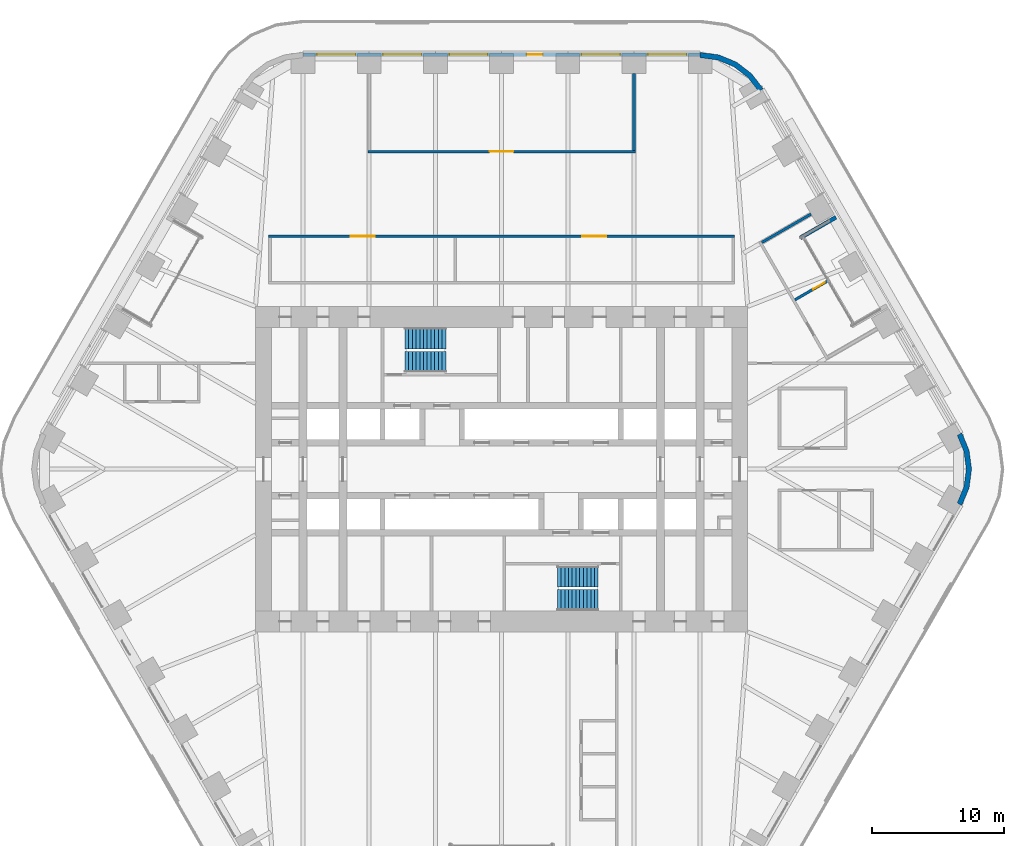
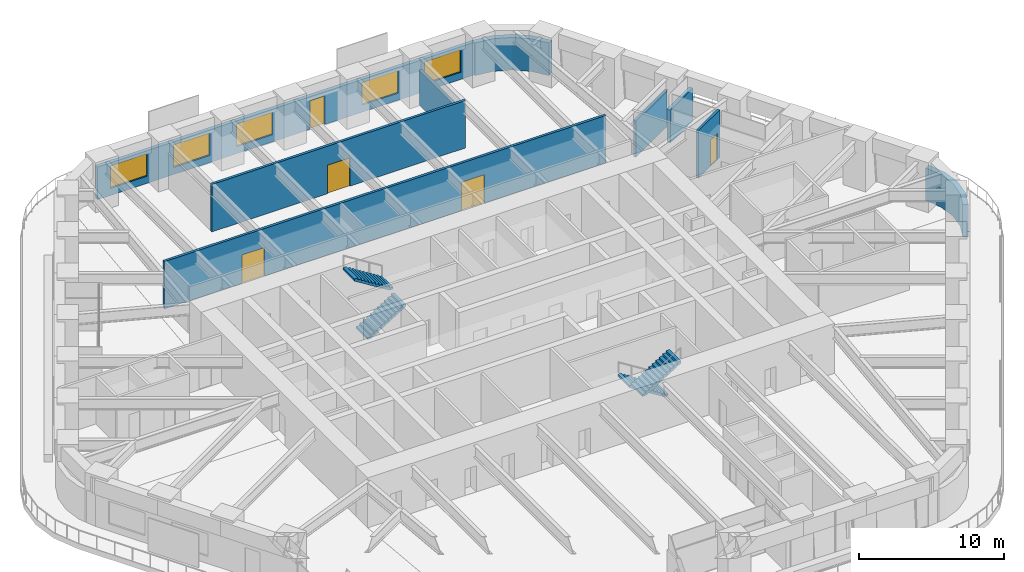
# One storey, part 21 of 24: 9 walls, 5 doors, 5 windows, 4 stair flights, 10 openings, 2 elements without a shape of their own.
"""IFC4 building model written with IfcOpenShell, lengths in metres."""

from ifc_helpers import new_model, si_unit, direction, frame, frame_2d, origin, place, context, subcontext, project, spatial, polyline, rectangle, outline, extrude, material, layer, layer_set, type_object, element, fill, aggregate, save


model = new_model("IFC4")

# Units and contexts
model_context = context("Model", 3, precision=1e-05, world=origin(), true_north=direction((0.0, 1.0)))
body_context = subcontext(model_context, "Body", "Model", "MODEL_VIEW")
ifc_project = project(units=[si_unit("LENGTHUNIT", "METRE"), si_unit("AREAUNIT", "SQUARE_METRE"), si_unit("VOLUMEUNIT", "CUBIC_METRE"), si_unit("PLANEANGLEUNIT", "RADIAN"), si_unit("MASSUNIT", "GRAM", prefix="KILO")], contexts=[model_context])

# Site, building, storey
site_placement = place(None, origin())
site = spatial("IfcSite", under=ifc_project, at=site_placement, CompositionType="ELEMENT")
building_placement = place(site_placement, origin())
building = spatial("IfcBuilding", under=site, at=building_placement, Name="Tarfa Lantern Tower", CompositionType="ELEMENT")
storey_placement = place(building_placement, frame((0.0, 0.0, 136.300048828125)))
storey = spatial("IfcBuildingStorey", under=building, at=storey_placement, Name="L30", CompositionType="ELEMENT", Elevation=136.300048828125)

# Wall
ifc_material_1 = material(Name="Limestone cladding on blockwork", Category="masonry")
ifc_layer_1 = layer(ifc_material_1, 0.300048828125)
ifc_layer_set_1 = layer_set([ifc_layer_1], Name="EW1 STONE-CLAD WALL 300")
wall_type_1 = type_object("IfcWallType", Name="EW1 STONE-CLAD WALL 300", PredefinedType="SOLIDWALL", material=ifc_layer_set_1)
wall_1_placement = place(storey_placement, frame((25.266357421875, 19.037353515625, 0.0), z_axis=(0.0, 0.0, 1.0), x_axis=(-0.86600983753, -0.500026960575, 0.0)))
element("IfcWall", 1, at=wall_1_placement, inside=storey, type_object=wall_type_1, Name="Loggia return NE 2", PredefinedType="SOLIDWALL", context=body_context, shape_type="SweptSolid", body=[
    extrude(rectangle(XDim=3.099853515625, YDim=0.300048828125, at=frame_2d((1.5498046875, 0.0))), origin(), (0.0, 0.0, 1.0), 2.75),
])

# Wall, openings, door, windows
wall_2_placement = place(storey_placement, frame((15.010986328125, 31.35009765625, 0.0), z_axis=(0.0, 0.0, 1.0), x_axis=(-1.0, 0.0, 0.0)))
wall_2 = element("IfcWall", 2, at=wall_2_placement, inside=storey, type_object=wall_type_1, Name="Stone wall N", PredefinedType="SOLIDWALL", context=body_context, shape_type="SweptSolid", body=[
    extrude(rectangle(XDim=30.02197265625, YDim=0.300048828125, at=frame_2d((15.010986328125, 0.0))), origin(), (0.0, 0.0, 1.0), 2.75),
])
opening_1_placement = place(wall_2_placement, frame((1.0517578125, 0.0, 0.60009765625)))
opening_1 = element("IfcOpeningElement", 3, at=opening_1_placement, cuts=wall_2, Name="Opening W9", PredefinedType="OPENING", context=body_context, shape_type="SweptSolid", body=[
    extrude(rectangle(XDim=2.89990234375, YDim=1.89990234375, at=frame_2d((1.449951171875, 0.949951171875))), frame((0.0, 0.159912109375, 0.0), z_axis=(0.0, -1.0, 0.0), x_axis=(1.0, 0.0, 0.0)), (0.0, 0.0, 1.0), 0.320068359375),
])
opening_2_placement = place(wall_2_placement, frame((6.0556640625, 0.0, 0.60009765625)))
opening_2 = element("IfcOpeningElement", 4, at=opening_2_placement, cuts=wall_2, Name="Opening W9", PredefinedType="OPENING", context=body_context, shape_type="SweptSolid", body=[
    extrude(rectangle(XDim=2.89990234375, YDim=1.89990234375, at=frame_2d((1.449951171875, 0.949951171875))), frame((0.0, 0.159912109375, 0.0), z_axis=(0.0, -1.0, 0.0), x_axis=(1.0, 0.0, 0.0)), (0.0, 0.0, 1.0), 0.320068359375),
])
opening_3_placement = place(wall_2_placement, frame((11.9091796875, 0.0, 0.0)))
opening_3 = element("IfcOpeningElement", 5, at=opening_3_placement, cuts=wall_2, Name="Opening D49", PredefinedType="OPENING", context=body_context, shape_type="SweptSolid", body=[
    extrude(rectangle(XDim=1.199951171875, YDim=2.39990234375, at=frame_2d((0.60009765625, 1.199951171875))), frame((0.0, 0.159912109375, 0.0), z_axis=(0.0, -1.0, 0.0), x_axis=(1.0, 0.0, 0.0)), (0.0, 0.0, 1.0), 0.320068359375),
])
opening_4_placement = place(wall_2_placement, frame((16.06298828125, 0.0, 0.60009765625)))
opening_4 = element("IfcOpeningElement", 6, at=opening_4_placement, cuts=wall_2, Name="Opening W9", PredefinedType="OPENING", context=body_context, shape_type="SweptSolid", body=[
    extrude(rectangle(XDim=2.89990234375, YDim=1.89990234375, at=frame_2d((1.449951171875, 0.949951171875))), frame((0.0, 0.159912109375, 0.0), z_axis=(0.0, -1.0, 0.0), x_axis=(1.0, 0.0, 0.0)), (0.0, 0.0, 1.0), 0.320068359375),
])
opening_5_placement = place(wall_2_placement, frame((21.066650390625, 0.0, 0.60009765625)))
opening_5 = element("IfcOpeningElement", 7, at=opening_5_placement, cuts=wall_2, Name="Opening W9", PredefinedType="OPENING", context=body_context, shape_type="SweptSolid", body=[
    extrude(rectangle(XDim=2.89990234375, YDim=1.89990234375, at=frame_2d((1.449951171875, 0.949951171875))), frame((0.0, 0.159912109375, 0.0), z_axis=(0.0, -1.0, 0.0), x_axis=(1.0, 0.0, 0.0)), (0.0, 0.0, 1.0), 0.320068359375),
])
opening_6_placement = place(wall_2_placement, frame((26.0703125, 0.0, 0.60009765625)))
opening_6 = element("IfcOpeningElement", 8, at=opening_6_placement, cuts=wall_2, Name="Opening W9", PredefinedType="OPENING", context=body_context, shape_type="SweptSolid", body=[
    extrude(rectangle(XDim=2.89990234375, YDim=1.89990234375, at=frame_2d((1.449951171875, 0.949951171875))), frame((0.0, 0.159912109375, 0.0), z_axis=(0.0, -1.0, 0.0), x_axis=(1.0, 0.0, 0.0)), (0.0, 0.0, 1.0), 0.320068359375),
])
ifc_material_2 = material(Name="Aluminium framed glazed door", Category="aluminium")
door_type_1 = type_object("IfcDoorType", Name="BE3 BALCONY DOOR 1200x2400", OperationType="SINGLE_SWING_RIGHT", PredefinedType="DOOR", material=ifc_material_2)
door_1_placement = place(opening_3_placement, origin())
door_1 = element("IfcDoor", 9, at=door_1_placement, inside=storey, type_object=door_type_1, Name="Balcony door N", OperationType="SINGLE_SWING_RIGHT", OverallHeight=2.39990234375, OverallWidth=1.199951171875, PredefinedType="DOOR", context=body_context, shape_type="SweptSolid", body=[
    extrude(rectangle(XDim=1.199951171875, YDim=2.39990234375, at=frame_2d((0.60009765625, 1.199951171875))), frame((0.0, 0.02490234375, 0.0), z_axis=(0.0, -1.0, 0.0), x_axis=(1.0, 0.0, 0.0)), (0.0, 0.0, 1.0), 0.050048828125),
])
fill(opening_3, door_1)
ifc_material_3 = material(Name="Aluminium frame, double glazed", Category="aluminium")
window_type = type_object("IfcWindowType", Name="W9 FULL-HEIGHT GLAZING 2900x1900", PartitioningType="SINGLE_PANEL", PredefinedType="WINDOW", material=ifc_material_3)
window_1_placement = place(opening_1_placement, origin())
window_1 = element("IfcWindow", 10, at=window_1_placement, inside=storey, type_object=window_type, Name="Window N 1", OverallHeight=1.89990234375, OverallWidth=2.89990234375, PartitioningType="SINGLE_PANEL", PredefinedType="WINDOW", context=body_context, shape_type="SweptSolid", body=[
    extrude(rectangle(XDim=2.89990234375, YDim=1.89990234375, at=frame_2d((1.449951171875, 0.949951171875))), frame((0.0, 0.030029296875, 0.0), z_axis=(0.0, -1.0, 0.0), x_axis=(1.0, 0.0, 0.0)), (0.0, 0.0, 1.0), 0.06005859375),
])
fill(opening_1, window_1)
window_2_placement = place(opening_2_placement, origin())
window_2 = element("IfcWindow", 11, at=window_2_placement, inside=storey, type_object=window_type, Name="Window N 2", OverallHeight=1.89990234375, OverallWidth=2.89990234375, PartitioningType="SINGLE_PANEL", PredefinedType="WINDOW", context=body_context, shape_type="SweptSolid", body=[
    extrude(rectangle(XDim=2.89990234375, YDim=1.89990234375, at=frame_2d((1.449951171875, 0.949951171875))), frame((0.0, 0.030029296875, 0.0), z_axis=(0.0, -1.0, 0.0), x_axis=(1.0, 0.0, 0.0)), (0.0, 0.0, 1.0), 0.06005859375),
])
fill(opening_2, window_2)
window_3_placement = place(opening_4_placement, origin())
window_3 = element("IfcWindow", 12, at=window_3_placement, inside=storey, type_object=window_type, Name="Window N 4", OverallHeight=1.89990234375, OverallWidth=2.89990234375, PartitioningType="SINGLE_PANEL", PredefinedType="WINDOW", context=body_context, shape_type="SweptSolid", body=[
    extrude(rectangle(XDim=2.89990234375, YDim=1.89990234375, at=frame_2d((1.449951171875, 0.949951171875))), frame((0.0, 0.030029296875, 0.0), z_axis=(0.0, -1.0, 0.0), x_axis=(1.0, 0.0, 0.0)), (0.0, 0.0, 1.0), 0.06005859375),
])
fill(opening_4, window_3)
window_4_placement = place(opening_5_placement, origin())
window_4 = element("IfcWindow", 13, at=window_4_placement, inside=storey, type_object=window_type, Name="Window N 5", OverallHeight=1.89990234375, OverallWidth=2.89990234375, PartitioningType="SINGLE_PANEL", PredefinedType="WINDOW", context=body_context, shape_type="SweptSolid", body=[
    extrude(rectangle(XDim=2.89990234375, YDim=1.89990234375, at=frame_2d((1.449951171875, 0.949951171875))), frame((0.0, 0.030029296875, 0.0), z_axis=(0.0, -1.0, 0.0), x_axis=(1.0, 0.0, 0.0)), (0.0, 0.0, 1.0), 0.06005859375),
])
fill(opening_5, window_4)
window_5_placement = place(opening_6_placement, origin())
window_5 = element("IfcWindow", 14, at=window_5_placement, inside=storey, type_object=window_type, Name="Window N 6", OverallHeight=1.89990234375, OverallWidth=2.89990234375, PartitioningType="SINGLE_PANEL", PredefinedType="WINDOW", context=body_context, shape_type="SweptSolid", body=[
    extrude(rectangle(XDim=2.89990234375, YDim=1.89990234375, at=frame_2d((1.449951171875, 0.949951171875))), frame((0.0, 0.030029296875, 0.0), z_axis=(0.0, -1.0, 0.0), x_axis=(1.0, 0.0, 0.0)), (0.0, 0.0, 1.0), 0.06005859375),
])
fill(opening_6, window_5)

# Walls
ifc_layer_2 = layer(ifc_material_1, 0.39990234375)
ifc_layer_set_2 = layer_set([ifc_layer_2], Name="EW2 CURVED STONE CORNER 400")
wall_type_2 = type_object("IfcWallType", Name="EW2 CURVED STONE CORNER 400", PredefinedType="SOLIDWALL", material=ifc_layer_set_2)
wall_3_placement = place(storey_placement, origin())
element("IfcWall", 15, at=wall_3_placement, inside=storey, type_object=wall_type_2, Name="Stone corner NE-N", PredefinedType="SOLIDWALL", context=body_context, shape_type="SweptSolid", body=[
    extrude(outline(polyline([(19.774169921875, 28.75), (18.900146484375, 29.88916015625), (17.760986328125, 30.76318359375), (16.4345703125, 31.3125), (15.010986328125, 31.5), (15.010986328125, 31.10009765625), (16.3310546875, 30.92626953125), (17.56103515625, 30.416748046875), (18.617431640625, 29.606201171875), (19.427734375, 28.550048828125), (19.774169921875, 28.75)])), origin(), (0.0, 0.0, 1.0), 2.75),
])
wall_4_placement = place(storey_placement, origin())
element("IfcWall", 16, at=wall_4_placement, inside=storey, type_object=wall_type_2, Name="Stone corner SE-NE", PredefinedType="SOLIDWALL", context=body_context, shape_type="SweptSolid", body=[
    extrude(outline(polyline([(34.785400390625, -2.75), (35.334716796875, -1.423583984375), (35.522216796875, 0.0), (35.334716796875, 1.423583984375), (34.785400390625, 2.75), (34.43896484375, 2.550048828125), (34.948486328125, 1.320068359375), (35.122314453125, 0.0), (34.948486328125, -1.320068359375), (34.43896484375, -2.550048828125), (34.785400390625, -2.75)])), origin(), (0.0, 0.0, 1.0), 2.75),
])

# Wall, openings, doors
ifc_material_4 = material(Name="Gypsum board on steel studs", Category="steel")
ifc_layer_3 = layer(ifc_material_4, 0.2099609375)
ifc_layer_set_3 = layer_set([ifc_layer_3], Name="IW2 ACOUSTIC PARTITION 200")
wall_type_3 = type_object("IfcWallType", Name="IW2 ACOUSTIC PARTITION 200", PredefinedType="PARTITIONING", material=ifc_layer_set_3)
wall_5_placement = place(storey_placement, frame((-17.60009765625, 17.60009765625, 0.0), z_axis=(0.0, 0.0, 1.0), x_axis=(1.0, 0.0, 0.0)))
wall_5 = element("IfcWall", 17, at=wall_5_placement, inside=storey, type_object=wall_type_3, Name="Partition", PredefinedType="PARTITIONING", context=body_context, shape_type="SweptSolid", body=[
    extrude(rectangle(XDim=35.2001953125, YDim=0.199951171875, at=frame_2d((17.60009765625, 0.0))), origin(), (0.0, 0.0, 1.0), 4.0),
])
opening_7_placement = place(wall_5_placement, frame((6.199951171875, 0.0, 0.0)))
opening_7 = element("IfcOpeningElement", 18, at=opening_7_placement, cuts=wall_5, Name="Opening D39", PredefinedType="OPENING", context=body_context, shape_type="SweptSolid", body=[
    extrude(rectangle(XDim=1.800048828125, YDim=2.39990234375, at=frame_2d((0.89990234375, 1.199951171875))), frame((0.0, 0.10986328125, 0.0), z_axis=(0.0, -1.0, 0.0), x_axis=(1.0, 0.0, 0.0)), (0.0, 0.0, 1.0), 0.219970703125),
])
opening_8_placement = place(wall_5_placement, frame((23.699951171875, 0.0, 0.0)))
opening_8 = element("IfcOpeningElement", 19, at=opening_8_placement, cuts=wall_5, Name="Opening D40", PredefinedType="OPENING", context=body_context, shape_type="SweptSolid", body=[
    extrude(rectangle(XDim=1.800048828125, YDim=2.39990234375, at=frame_2d((0.89990234375, 1.199951171875))), frame((0.0, 0.10986328125, 0.0), z_axis=(0.0, -1.0, 0.0), x_axis=(1.0, 0.0, 0.0)), (0.0, 0.0, 1.0), 0.219970703125),
])
ifc_material_5 = material(Name="Timber door", Category="wood")
door_type_2 = type_object("IfcDoorType", Name="DR2 ROOM DOOR 1800x2400", OperationType="DOUBLE_DOOR_SINGLE_SWING", PredefinedType="DOOR", material=ifc_material_5)
door_2_placement = place(opening_7_placement, frame((1.800048828125, 0.0, 0.0), z_axis=(0.0, 0.0, 1.0), x_axis=(-1.0, 0.0, 0.0)))
door_2 = element("IfcDoor", 20, at=door_2_placement, inside=storey, type_object=door_type_2, Name="Dealer support room door", OperationType="DOUBLE_DOOR_SINGLE_SWING", OverallHeight=2.39990234375, OverallWidth=1.800048828125, PredefinedType="DOOR", context=body_context, shape_type="SweptSolid", body=[
    extrude(rectangle(XDim=1.800048828125, YDim=2.39990234375, at=frame_2d((0.89990234375, 1.199951171875))), frame((0.0, 0.02490234375, 0.0), z_axis=(0.0, -1.0, 0.0), x_axis=(1.0, 0.0, 0.0)), (0.0, 0.0, 1.0), 0.050048828125),
])
fill(opening_7, door_2)
door_3_placement = place(opening_8_placement, frame((1.800048828125, 0.0, 0.0), z_axis=(0.0, 0.0, 1.0), x_axis=(-1.0, 0.0, 0.0)))
door_3 = element("IfcDoor", 21, at=door_3_placement, inside=storey, type_object=door_type_2, Name="Settlement office door", OperationType="DOUBLE_DOOR_SINGLE_SWING", OverallHeight=2.39990234375, OverallWidth=1.800048828125, PredefinedType="DOOR", context=body_context, shape_type="SweptSolid", body=[
    extrude(rectangle(XDim=1.800048828125, YDim=2.39990234375, at=frame_2d((0.89990234375, 1.199951171875))), frame((0.0, 0.02490234375, 0.0), z_axis=(0.0, -1.0, 0.0), x_axis=(1.0, 0.0, 0.0)), (0.0, 0.0, 1.0), 0.050048828125),
])
fill(opening_8, door_3)

# Wall, opening, door
wall_6_placement = place(storey_placement, frame((10.107421875, 24.0, 0.0), z_axis=(0.0, 0.0, 1.0), x_axis=(-1.0, 0.0, 0.0)))
wall_6 = element("IfcWall", 22, at=wall_6_placement, inside=storey, type_object=wall_type_3, Name="Partition", PredefinedType="PARTITIONING", context=body_context, shape_type="SweptSolid", body=[
    extrude(rectangle(XDim=20.21484375, YDim=0.199951171875, at=frame_2d((10.107421875, 0.0))), origin(), (0.0, 0.0, 1.0), 4.0),
])
opening_9_placement = place(wall_6_placement, frame((9.20751953125, 0.0, 0.0)))
opening_9 = element("IfcOpeningElement", 23, at=opening_9_placement, cuts=wall_6, Name="Opening D36", PredefinedType="OPENING", context=body_context, shape_type="SweptSolid", body=[
    extrude(rectangle(XDim=1.800048828125, YDim=2.39990234375, at=frame_2d((0.89990234375, 1.199951171875))), frame((0.0, 0.10986328125, 0.0), z_axis=(0.0, -1.0, 0.0), x_axis=(1.0, 0.0, 0.0)), (0.0, 0.0, 1.0), 0.219970703125),
])
door_4_placement = place(opening_9_placement, frame((1.800048828125, 0.0, 0.0), z_axis=(0.0, 0.0, 1.0), x_axis=(-1.0, 0.0, 0.0)))
door_4 = element("IfcDoor", 24, at=door_4_placement, inside=storey, type_object=door_type_2, Name="Dealing room door", OperationType="DOUBLE_DOOR_SINGLE_SWING", OverallHeight=2.39990234375, OverallWidth=1.800048828125, PredefinedType="DOOR", context=body_context, shape_type="SweptSolid", body=[
    extrude(rectangle(XDim=1.800048828125, YDim=2.39990234375, at=frame_2d((0.89990234375, 1.199951171875))), frame((0.0, 0.02490234375, 0.0), z_axis=(0.0, -1.0, 0.0), x_axis=(1.0, 0.0, 0.0)), (0.0, 0.0, 1.0), 0.050048828125),
])
fill(opening_9, door_4)

# Wall
wall_7_placement = place(storey_placement, frame((10.00732421875, 24.10009765625, 0.0), z_axis=(0.0, 0.0, 1.0), x_axis=(0.0, 1.0, 0.0)))
element("IfcWall", 25, at=wall_7_placement, inside=storey, type_object=wall_type_3, Name="Partition", PredefinedType="PARTITIONING", context=body_context, shape_type="SweptSolid", body=[
    extrude(rectangle(XDim=5.7998046875, YDim=0.199951171875, at=frame_2d((2.89990234375, 0.0))), origin(), (0.0, 0.0, 1.0), 2.991943359375),
])

# Wall, opening, door
wall_8_placement = place(storey_placement, frame((22.170166015625, 12.800048828125, 0.0), z_axis=(0.0, 0.0, 1.0), x_axis=(0.866044046824, 0.499967707918, 0.0)))
wall_8 = element("IfcWall", 26, at=wall_8_placement, inside=storey, type_object=wall_type_3, Name="Partition", PredefinedType="PARTITIONING", context=body_context, shape_type="SweptSolid", body=[
    extrude(rectangle(XDim=2.901123046875, YDim=0.199951171875, at=frame_2d((1.45068359375, 0.0))), origin(), (0.0, 0.0, 1.0), 4.0),
])
opening_10_placement = place(wall_8_placement, frame((1.60009765625, 0.0, 0.0)))
opening_10 = element("IfcOpeningElement", 27, at=opening_10_placement, cuts=wall_8, Name="Opening D38", PredefinedType="OPENING", context=body_context, shape_type="SweptSolid", body=[
    extrude(rectangle(XDim=1.0, YDim=2.199951171875, at=frame_2d((0.5, 1.10009765625))), frame((0.0, 0.10986328125, 0.0), z_axis=(0.0, -1.0, 0.0), x_axis=(1.0, 0.0, 0.0)), (0.0, 0.0, 1.0), 0.219970703125),
])
door_type_3 = type_object("IfcDoorType", Name="DR1 ROOM DOOR 1000x2200", OperationType="SINGLE_SWING_LEFT", PredefinedType="DOOR", material=ifc_material_5)
door_5_placement = place(opening_10_placement, frame((1.0, 0.0, 0.0), z_axis=(0.0, 0.0, 1.0), x_axis=(-1.0, 0.0, 0.0)))
door_5 = element("IfcDoor", 28, at=door_5_placement, inside=storey, type_object=door_type_3, Name="Treasurer's office door", OperationType="SINGLE_SWING_RIGHT", OverallHeight=2.199951171875, OverallWidth=1.0, PredefinedType="DOOR", context=body_context, shape_type="SweptSolid", body=[
    extrude(rectangle(XDim=1.0, YDim=2.199951171875, at=frame_2d((0.5, 1.10009765625))), frame((0.0, 0.02490234375, 0.0), z_axis=(0.0, -1.0, 0.0), x_axis=(1.0, 0.0, 0.0)), (0.0, 0.0, 1.0), 0.050048828125),
])
fill(opening_10, door_5)

# Wall
wall_9_placement = place(storey_placement, frame((19.66845703125, 17.13330078125, 0.0), z_axis=(0.0, 0.0, 1.0), x_axis=(0.866008775485, 0.500028799954, 0.0)))
element("IfcWall", 29, at=wall_9_placement, inside=storey, type_object=wall_type_3, Name="Partition", PredefinedType="PARTITIONING", context=body_context, shape_type="SweptSolid", body=[
    extrude(rectangle(XDim=4.300048828125, YDim=0.199951171875, at=frame_2d((2.14990234375, 0.0))), origin(), (0.0, 0.0, 1.0), 3.08154296875),
])

# Stair, stair flights
ifc_material_6 = material(Name="Concrete C40/50", Category="concrete")
stair_type = type_object("IfcStairType", Name="ST-T10 HALF-TURN STAIR 4200 RISE", PredefinedType="HALF_TURN_STAIR", material=ifc_material_6)
stair_1_placement = place(storey_placement, origin())
stair_1 = element("IfcStair", 30, at=stair_1_placement, inside=storey, type_object=stair_type, Name="Stair ST1", PredefinedType="HALF_TURN_STAIR")
stair_flight_type = type_object("IfcStairFlightType", Name="SF1 STAIR FLIGHT", PredefinedType="STRAIGHT", material=ifc_material_6)
stair_flight_1_placement = place(storey_placement, frame((-7.300048828125, 8.10009765625, 0.0), z_axis=(0.0, 0.0, 1.0), x_axis=(1.0, 0.0, 0.0)))
stair_flight_1 = element("IfcStairFlight", 31, at=stair_flight_1_placement, type_object=stair_flight_type, Name="ST1 flight 1", NumberOfRisers=12, NumberOfTreads=11, PredefinedType="STRAIGHT", RiserHeight=0.175, TreadLength=0.28, context=body_context, shape_type="SweptSolid", body=[
    extrude(outline(polyline([(0.0, 0.0), (0.0, 0.175048828125), (0.280029296875, 0.175048828125), (0.280029296875, 0.35009765625), (0.56005859375, 0.35009765625), (0.56005859375, 0.52490234375), (0.840087890625, 0.52490234375), (0.840087890625, 0.699951171875), (1.1201171875, 0.699951171875), (1.1201171875, 0.875), (1.39990234375, 0.875), (1.39990234375, 1.050048828125), (1.679931640625, 1.050048828125), (1.679931640625, 1.22509765625), (1.9599609375, 1.22509765625), (1.9599609375, 1.39990234375), (2.239990234375, 1.39990234375), (2.239990234375, 1.574951171875), (2.52001953125, 1.574951171875), (2.52001953125, 1.75), (2.800048828125, 1.75), (2.800048828125, 1.925048828125), (3.080078125, 1.925048828125), (3.080078125, 2.10009765625), (3.080078125, 1.748291015625), (0.28271484375, 0.0), (0.0, 0.0)])), frame((0.0, 0.800048828125, 0.0), z_axis=(0.0, -1.0, 0.0), x_axis=(1.0, 0.0, 0.0)), (0.0, 0.0, 1.0), 1.60009765625),
])
stair_flight_2_placement = place(storey_placement, frame((-4.219970703125, 9.89990234375, 2.099853515625), z_axis=(0.0, 0.0, 1.0), x_axis=(-1.0, 0.0, 0.0)))
stair_flight_2 = element("IfcStairFlight", 32, at=stair_flight_2_placement, type_object=stair_flight_type, Name="ST1 flight 2", NumberOfRisers=12, NumberOfTreads=11, PredefinedType="STRAIGHT", RiserHeight=0.175, TreadLength=0.28, context=body_context, shape_type="SweptSolid", body=[
    extrude(outline(polyline([(0.0, 0.0), (0.0, 0.175048828125), (0.280029296875, 0.175048828125), (0.280029296875, 0.35009765625), (0.56005859375, 0.35009765625), (0.56005859375, 0.52490234375), (0.840087890625, 0.52490234375), (0.840087890625, 0.699951171875), (1.1201171875, 0.699951171875), (1.1201171875, 0.875), (1.39990234375, 0.875), (1.39990234375, 1.050048828125), (1.679931640625, 1.050048828125), (1.679931640625, 1.22509765625), (1.9599609375, 1.22509765625), (1.9599609375, 1.39990234375), (2.239990234375, 1.39990234375), (2.239990234375, 1.574951171875), (2.52001953125, 1.574951171875), (2.52001953125, 1.75), (2.800048828125, 1.75), (2.800048828125, 1.925048828125), (3.080078125, 1.925048828125), (3.080078125, 2.10009765625), (3.080078125, 1.748291015625), (0.28271484375, 0.0), (0.0, 0.0)])), frame((0.0, 0.800048828125, 0.0), z_axis=(0.0, -1.0, 0.0), x_axis=(1.0, 0.0, 0.0)), (0.0, 0.0, 1.0), 1.60009765625),
])
aggregate(stair_1, [stair_flight_1, stair_flight_2])

stair_2_placement = place(storey_placement, origin())
stair_2 = element("IfcStair", 33, at=stair_2_placement, inside=storey, type_object=stair_type, Name="Stair ST2", PredefinedType="HALF_TURN_STAIR")
stair_flight_3_placement = place(storey_placement, frame((7.300048828125, -8.10009765625, 0.0), z_axis=(0.0, 0.0, 1.0), x_axis=(-1.0, 0.0, 0.0)))
stair_flight_3 = element("IfcStairFlight", 34, at=stair_flight_3_placement, type_object=stair_flight_type, Name="ST2 flight 1", NumberOfRisers=12, NumberOfTreads=11, PredefinedType="STRAIGHT", RiserHeight=0.175, TreadLength=0.28, context=body_context, shape_type="SweptSolid", body=[
    extrude(outline(polyline([(0.0, 0.0), (0.0, 0.175048828125), (0.280029296875, 0.175048828125), (0.280029296875, 0.35009765625), (0.56005859375, 0.35009765625), (0.56005859375, 0.52490234375), (0.840087890625, 0.52490234375), (0.840087890625, 0.699951171875), (1.1201171875, 0.699951171875), (1.1201171875, 0.875), (1.39990234375, 0.875), (1.39990234375, 1.050048828125), (1.679931640625, 1.050048828125), (1.679931640625, 1.22509765625), (1.9599609375, 1.22509765625), (1.9599609375, 1.39990234375), (2.239990234375, 1.39990234375), (2.239990234375, 1.574951171875), (2.52001953125, 1.574951171875), (2.52001953125, 1.75), (2.800048828125, 1.75), (2.800048828125, 1.925048828125), (3.080078125, 1.925048828125), (3.080078125, 2.10009765625), (3.080078125, 1.748291015625), (0.28271484375, 0.0), (0.0, 0.0)])), frame((0.0, 0.800048828125, 0.0), z_axis=(0.0, -1.0, 0.0), x_axis=(1.0, 0.0, 0.0)), (0.0, 0.0, 1.0), 1.60009765625),
])
stair_flight_4_placement = place(storey_placement, frame((4.219970703125, -9.89990234375, 2.099853515625), z_axis=(0.0, 0.0, 1.0), x_axis=(1.0, 0.0, 0.0)))
stair_flight_4 = element("IfcStairFlight", 35, at=stair_flight_4_placement, type_object=stair_flight_type, Name="ST2 flight 2", NumberOfRisers=12, NumberOfTreads=11, PredefinedType="STRAIGHT", RiserHeight=0.175, TreadLength=0.28, context=body_context, shape_type="SweptSolid", body=[
    extrude(outline(polyline([(0.0, 0.0), (0.0, 0.175048828125), (0.280029296875, 0.175048828125), (0.280029296875, 0.35009765625), (0.56005859375, 0.35009765625), (0.56005859375, 0.52490234375), (0.840087890625, 0.52490234375), (0.840087890625, 0.699951171875), (1.1201171875, 0.699951171875), (1.1201171875, 0.875), (1.39990234375, 0.875), (1.39990234375, 1.050048828125), (1.679931640625, 1.050048828125), (1.679931640625, 1.22509765625), (1.9599609375, 1.22509765625), (1.9599609375, 1.39990234375), (2.239990234375, 1.39990234375), (2.239990234375, 1.574951171875), (2.52001953125, 1.574951171875), (2.52001953125, 1.75), (2.800048828125, 1.75), (2.800048828125, 1.925048828125), (3.080078125, 1.925048828125), (3.080078125, 2.10009765625), (3.080078125, 1.748291015625), (0.28271484375, 0.0), (0.0, 0.0)])), frame((0.0, 0.800048828125, 0.0), z_axis=(0.0, -1.0, 0.0), x_axis=(1.0, 0.0, 0.0)), (0.0, 0.0, 1.0), 1.60009765625),
])
aggregate(stair_2, [stair_flight_3, stair_flight_4])

save(model, "model.ifc")
